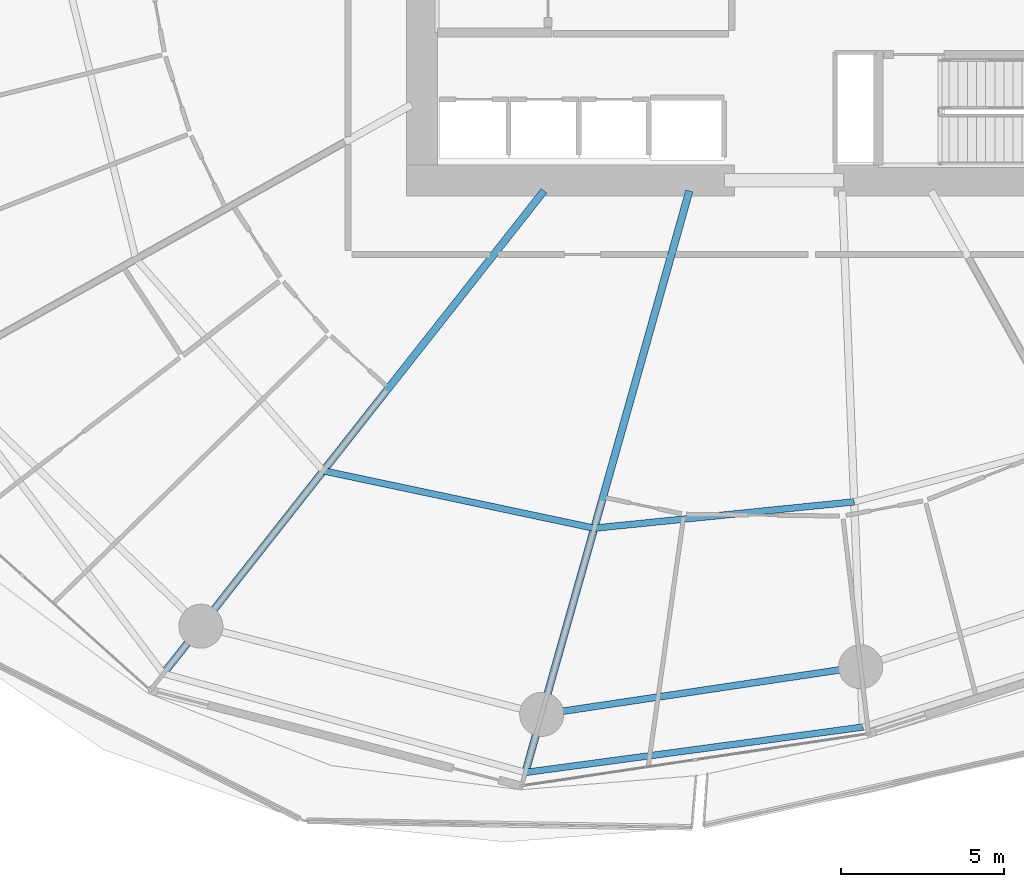
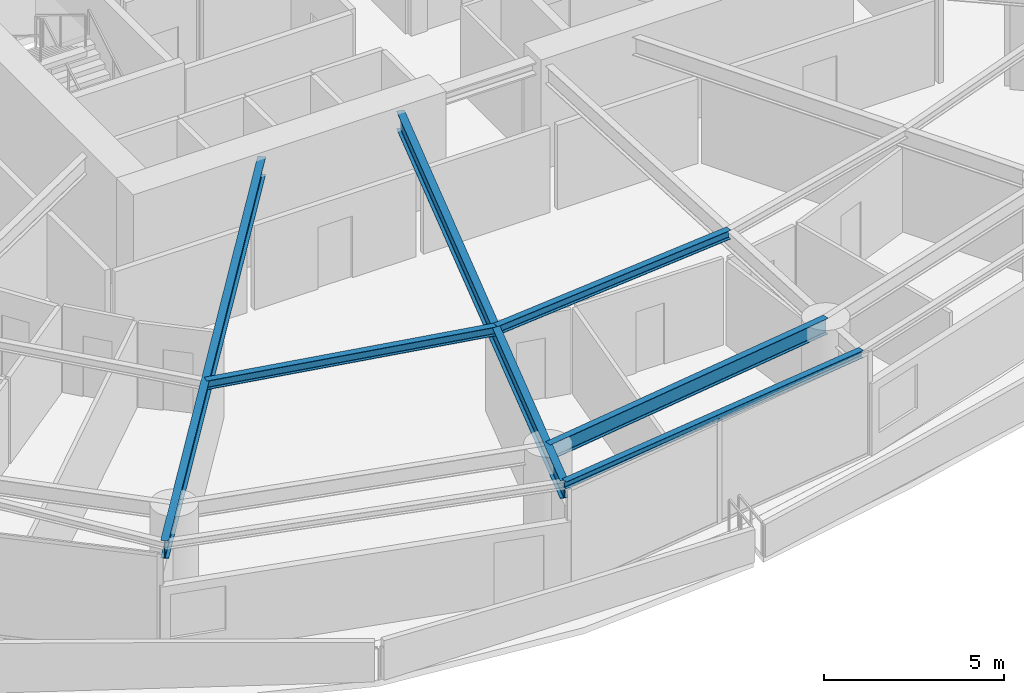
# One storey, part 7 of 32: 6 beams.
"""IFC4 building model written with IfcOpenShell, lengths in metres."""

from ifc_helpers import new_model, si_unit, direction, frame, origin, origin_2d, place, context, subcontext, project, spatial, i_section, extrude, material, material_profile, profile_set, type_object, element, save


model = new_model("IFC4")

# Units and contexts
model_context = context("Model", 3, precision=1e-05, world=origin(), true_north=direction((0.0, 1.0)))
body_context = subcontext(model_context, "Body", "Model", "MODEL_VIEW")
ifc_project = project(units=[si_unit("LENGTHUNIT", "METRE"), si_unit("AREAUNIT", "SQUARE_METRE"), si_unit("VOLUMEUNIT", "CUBIC_METRE"), si_unit("PLANEANGLEUNIT", "RADIAN"), si_unit("MASSUNIT", "GRAM", prefix="KILO")], contexts=[model_context])

# Site, building, storey
site_placement = place(None, origin())
site = spatial("IfcSite", under=ifc_project, at=site_placement, CompositionType="ELEMENT")
building_placement = place(site_placement, origin())
building = spatial("IfcBuilding", under=site, at=building_placement, Name="Kazma Halo Residences", CompositionType="ELEMENT")
storey_placement = place(building_placement, frame((0.0, 0.0, 63.89990234375)))
storey = spatial("IfcBuildingStorey", under=building, at=storey_placement, Name="L15", CompositionType="ELEMENT", Elevation=63.89990234375)

# Beams
ifc_material = material(Name="Steel S355", Category="steel")
ifc_material_profile_1 = material_profile(ifc_material, i_section(OverallWidth=0.201904296875, OverallDepth=0.2470703125, WebThickness=0.00732421875, FlangeThickness=0.010986328125, FilletRadius=0.011962890625, at=origin_2d()), Name="W250x49.1")
ifc_profile_set_1 = profile_set([ifc_material_profile_1], Name="Steel S355")
beam_type_1 = type_object("IfcBeamType", Name="BM-BAL-CANT", PredefinedType="BEAM", material=ifc_profile_set_1)
beam_1_placement = place(storey_placement, frame((40.489501953125, 15.3701171875, 3.376708984375), z_axis=(0.991080087388, 0.133267626912, 0.0), x_axis=(-0.133267626912, 0.991080087388, 0.0)))
element("IfcBeam", 1, at=beam_1_placement, inside=storey, type_object=beam_type_1, Name="L15 wave-balcony tie beam 11", PredefinedType="BEAM", context=body_context, shape_type="SweptSolid", body=[
    extrude(i_section(OverallWidth=0.201904296875, OverallDepth=0.2470703125, WebThickness=0.00732421875, FlangeThickness=0.010986328125, FilletRadius=0.011962890625, at=origin_2d()), origin(), (0.0, 0.0, 1.0), 10.444091796875),
])
ifc_material_profile_2 = material_profile(ifc_material, i_section(OverallWidth=0.22802734375, OverallDepth=0.60791015625, WebThickness=0.01123046875, FlangeThickness=0.017333984375, FilletRadius=0.01806640625, at=origin_2d()), Name="W610x113")
ifc_profile_set_2 = profile_set([ifc_material_profile_2], Name="Steel S355")
beam_type_2 = type_object("IfcBeamType", Name="BM-RAD-W610", PredefinedType="BEAM", material=ifc_profile_set_2)
beam_2_placement = place(storey_placement, frame((41.0625, 33.199951171875, 3.196044921875), z_axis=(-0.619092154321, -0.785318345932, 0.0), x_axis=(0.785318345932, -0.619092154321, 0.0)))
element("IfcBeam", 2, at=beam_2_placement, inside=storey, type_object=beam_type_2, Name="L15 radial floor beam 10", PredefinedType="BEAM", context=body_context, shape_type="SweptSolid", body=[
    extrude(i_section(OverallWidth=0.22802734375, OverallDepth=0.60791015625, WebThickness=0.01123046875, FlangeThickness=0.017333984375, FilletRadius=0.01806640625, at=origin_2d()), origin(), (0.0, 0.0, 1.0), 18.84375),
])
beam_3_placement = place(storey_placement, frame((45.51806640625, 33.199951171875, 3.196044921875), z_axis=(-0.271442010129, -0.962454796412, 0.0), x_axis=(0.962454796412, -0.271442010129, 0.0)))
element("IfcBeam", 3, at=beam_3_placement, inside=storey, type_object=beam_type_2, Name="L15 radial floor beam 11", PredefinedType="BEAM", context=body_context, shape_type="SweptSolid", body=[
    extrude(i_section(OverallWidth=0.22802734375, OverallDepth=0.60791015625, WebThickness=0.01123046875, FlangeThickness=0.017333984375, FilletRadius=0.01806640625, at=origin_2d()), origin(), (0.0, 0.0, 1.0), 18.525390625),
])
ifc_material_profile_3 = material_profile(ifc_material, i_section(OverallWidth=0.202880859375, OverallDepth=0.302978515625, WebThickness=0.007568359375, FlangeThickness=0.01318359375, FilletRadius=0.013916015625, at=origin_2d()), Name="W310x60")
ifc_profile_set_3 = profile_set([ifc_material_profile_3], Name="Steel S355")
beam_type_3 = type_object("IfcBeamType", Name="BM-SEC-W310A", PredefinedType="JOIST", material=ifc_profile_set_3)
beam_4_placement = place(storey_placement, frame((34.296142578125, 24.616943359375, 3.3486328125), z_axis=(0.97831665719, -0.207114746615, 0.0), x_axis=(0.207114746615, 0.97831665719, 0.0)))
element("IfcBeam", 4, at=beam_4_placement, inside=storey, type_object=beam_type_3, Name="L15 circumferential floor joist 10", PredefinedType="JOIST", context=body_context, shape_type="SweptSolid", body=[
    extrude(i_section(OverallWidth=0.202880859375, OverallDepth=0.302978515625, WebThickness=0.007568359375, FlangeThickness=0.01318359375, FilletRadius=0.013916015625, at=origin_2d()), origin(), (0.0, 0.0, 1.0), 8.489501953125),
])
beam_5_placement = place(storey_placement, frame((42.6015625, 22.858642578125, 3.3486328125), z_axis=(0.994907811148, 0.100789123008, 0.0), x_axis=(-0.100789123008, 0.994907811148, 0.0)))
element("IfcBeam", 5, at=beam_5_placement, inside=storey, type_object=beam_type_3, Name="L15 circumferential floor joist 11", PredefinedType="JOIST", context=body_context, shape_type="SweptSolid", body=[
    extrude(i_section(OverallWidth=0.202880859375, OverallDepth=0.302978515625, WebThickness=0.007568359375, FlangeThickness=0.01318359375, FilletRadius=0.013916015625, at=origin_2d()), origin(), (0.0, 0.0, 1.0), 8.010498046875),
])
ifc_material_profile_4 = material_profile(ifc_material, i_section(OverallWidth=0.208984375, OverallDepth=0.532958984375, WebThickness=0.01025390625, FlangeThickness=0.015625, FilletRadius=0.01611328125, at=origin_2d()), Name="W530x92")
ifc_profile_set_4 = profile_set([ifc_material_profile_4], Name="Steel S355")
beam_type_4 = type_object("IfcBeamType", Name="BM-SPN-W530", PredefinedType="BEAM", material=ifc_profile_set_4)
beam_6_placement = place(storey_placement, frame((40.99169921875, 17.150634765625, 3.233642578125), z_axis=(0.989033061974, 0.147694286693, 0.0), x_axis=(-0.147694286693, 0.989033061974, 0.0)))
element("IfcBeam", 6, at=beam_6_placement, inside=storey, type_object=beam_type_4, Name="L15 perimeter ring beam 11", PredefinedType="BEAM", context=body_context, shape_type="SweptSolid", body=[
    extrude(i_section(OverallWidth=0.208984375, OverallDepth=0.532958984375, WebThickness=0.01025390625, FlangeThickness=0.015625, FilletRadius=0.01611328125, at=origin_2d()), origin(), (0.0, 0.0, 1.0), 9.885009765625),
])

save(model, "model.ifc")
